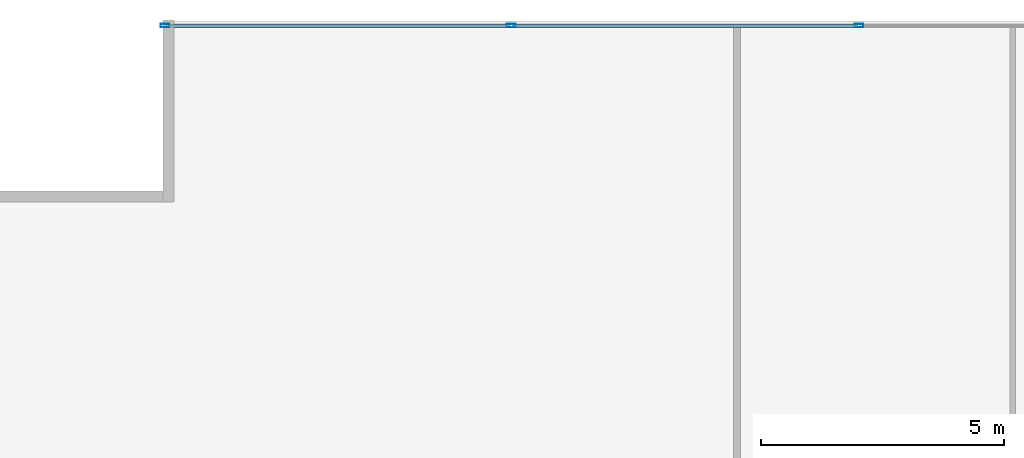
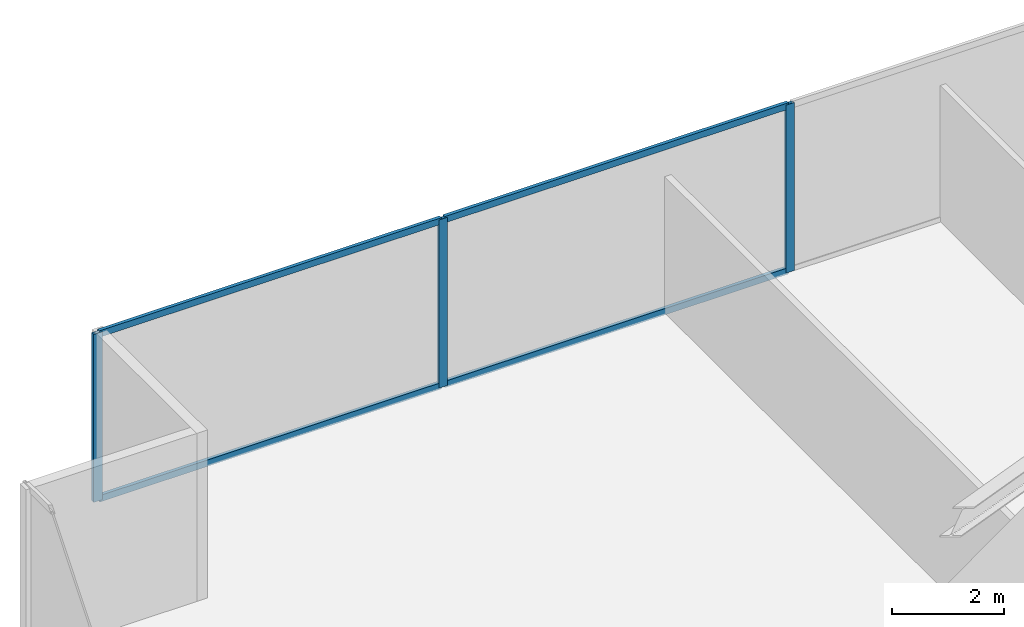
# One storey, part 19 of 28: 7 members, 1 element without a shape of its own.
"""IFC4 building model written with IfcOpenShell, lengths in metres."""

from ifc_helpers import new_model, si_unit, direction, frame, origin, origin_2d, place, context, subcontext, project, spatial, hollow_rectangle, extrude, source, transform, mapped, material, material_profile, profile_set, type_object, type_shapes, element, aggregate, save


model = new_model("IFC4")

# Units and contexts
model_context = context("Model", 3, precision=1e-05, world=origin(), true_north=direction((0.0, 1.0)))
body_context = subcontext(model_context, "Body", "Model", "MODEL_VIEW")
ifc_project = project(units=[si_unit("LENGTHUNIT", "METRE"), si_unit("AREAUNIT", "SQUARE_METRE"), si_unit("VOLUMEUNIT", "CUBIC_METRE"), si_unit("PLANEANGLEUNIT", "RADIAN"), si_unit("MASSUNIT", "GRAM", prefix="KILO")], contexts=[model_context])

# Site, building, storey
site_placement = place(None, origin())
site = spatial("IfcSite", under=ifc_project, at=site_placement, CompositionType="ELEMENT")
building_placement = place(site_placement, origin())
building = spatial("IfcBuilding", under=site, at=building_placement, Name="Krantzveldt Concourse Tower", CompositionType="ELEMENT")
storey_placement = place(building_placement, frame((0.0, 0.0, 28.949951171875)))
storey = spatial("IfcBuildingStorey", under=building, at=storey_placement, Name="L06", CompositionType="ELEMENT", Elevation=28.949951171875)

# Curtain wall, members
ifc_material = material(Name="Anodised aluminium 6063-T6", Category="aluminium")
curtain_wall_type = type_object("IfcCurtainWallType", Name="CW2", PredefinedType="USERDEFINED", material=ifc_material)
curtain_wall_placement = place(storey_placement, origin())
curtain_wall = element("IfcCurtainWall", 1, at=curtain_wall_placement, inside=storey, type_object=curtain_wall_type, Name="CW-L06-F10", ObjectType="UNITISED CURTAIN WALL", PredefinedType="USERDEFINED")
ifc_material_profile_1 = material_profile(ifc_material, hollow_rectangle(XDim=0.070068359375, YDim=0.139892578125, WallThickness=0.0048828125, at=origin_2d()), Name="Anodised aluminium 6063-T6", Category="aluminium")
ifc_profile_set_1 = profile_set([ifc_material_profile_1], Name="Anodised aluminium 6063-T6 - ALU-TRAN 140x70x5")
member_type_1 = type_object("IfcMemberType", Name="CW-TRN-150", PredefinedType="USERDEFINED", material=ifc_profile_set_1)
shared_shape_1 = source(origin(), body_context, "Body", "SweptSolid", [
    extrude(hollow_rectangle(XDim=0.070068359375, YDim=0.139892578125, WallThickness=0.0048828125, at=origin_2d()), origin(), (0.0, 0.0, 1.0), 7.0615234375),
])
member_1_placement = place(storey_placement, frame((21.631591796875, 51.610107421875, 0.03515625), z_axis=(-1.0, 0.0, 0.0), x_axis=(0.0, -1.0, 0.0)))
member_1 = element("IfcMember", 2, at=member_1_placement, type_object=member_type_1, Name="CW-Z12 transom 6.1", ObjectType="TRANSOM", PredefinedType="USERDEFINED", context=body_context, shape_type="MappedRepresentation", body=[
    mapped(shared_shape_1, transform((0.0, 0.0, 0.0), x_axis=(1.0, 0.0, 0.0), y_axis=(0.0, 1.0, 0.0), z_axis=(0.0, 0.0, 1.0), scale=1.0)),
])
member_2_placement = place(storey_placement, frame((21.631591796875, 51.610107421875, 3.635009765625), z_axis=(-1.0, 0.0, 0.0), x_axis=(0.0, -1.0, 0.0)))
member_2 = element("IfcMember", 3, at=member_2_placement, type_object=member_type_1, Name="CW-Z12 transom 6.2", ObjectType="TRANSOM", PredefinedType="USERDEFINED", context=body_context, shape_type="MappedRepresentation", body=[
    mapped(shared_shape_1, transform((0.0, 0.0, 0.0), x_axis=(1.0, 0.0, 0.0), y_axis=(0.0, 1.0, 0.0), z_axis=(0.0, 0.0, 1.0), scale=1.0)),
])
shared_shape_2 = source(origin(), body_context, "Body", "SweptSolid", [
    extrude(hollow_rectangle(XDim=0.070068359375, YDim=0.139892578125, WallThickness=0.0048828125, at=origin_2d()), origin(), (0.0, 0.0, 1.0), 7.0966796875),
])
type_shapes(member_type_1, [shared_shape_1, shared_shape_2])
member_3_placement = place(storey_placement, frame((28.79833984375, 51.610107421875, 0.03515625), z_axis=(-1.0, 0.0, 0.0), x_axis=(0.0, -1.0, 0.0)))
member_3 = element("IfcMember", 4, at=member_3_placement, type_object=member_type_1, Name="CW-Z12 transom 5.1", ObjectType="TRANSOM", PredefinedType="USERDEFINED", context=body_context, shape_type="MappedRepresentation", body=[
    mapped(shared_shape_2, transform((0.0, 0.0, 0.0), x_axis=(1.0, 0.0, 0.0), y_axis=(0.0, 1.0, 0.0), z_axis=(0.0, 0.0, 1.0), scale=1.0)),
])
member_4_placement = place(storey_placement, frame((28.79833984375, 51.610107421875, 3.635009765625), z_axis=(-1.0, 0.0, 0.0), x_axis=(0.0, -1.0, 0.0)))
member_4 = element("IfcMember", 5, at=member_4_placement, type_object=member_type_1, Name="CW-Z12 transom 5.2", ObjectType="TRANSOM", PredefinedType="USERDEFINED", context=body_context, shape_type="MappedRepresentation", body=[
    mapped(shared_shape_2, transform((0.0, 0.0, 0.0), x_axis=(1.0, 0.0, 0.0), y_axis=(0.0, 1.0, 0.0), z_axis=(0.0, 0.0, 1.0), scale=1.0)),
])
ifc_material_profile_2 = material_profile(ifc_material, hollow_rectangle(XDim=0.070068359375, YDim=0.179931640625, WallThickness=0.0048828125, at=origin_2d()), Name="Anodised aluminium 6063-T6", Category="aluminium")
ifc_profile_set_2 = profile_set([ifc_material_profile_2], Name="Anodised aluminium 6063-T6 - ALU-MULL 180x70x5")
member_type_2 = type_object("IfcMemberType", Name="CW-MUL-180", PredefinedType="MULLION", material=ifc_profile_set_2)
shared_shape_3 = source(origin(), body_context, "Body", "SweptSolid", [
    extrude(hollow_rectangle(XDim=0.070068359375, YDim=0.179931640625, WallThickness=0.0048828125, at=origin_2d()), origin(), (0.0, 0.0, 1.0), 3.670166015625),
])
type_shapes(member_type_2, [shared_shape_3])
member_5_placement = place(storey_placement, frame((28.833251953125, 51.610107421875, 0.0), z_axis=(0.0, 0.0, 1.0), x_axis=(0.0, -1.0, 0.0)))
member_5 = element("IfcMember", 6, at=member_5_placement, type_object=member_type_2, Name="CW-Z12 mullion 5", PredefinedType="MULLION", context=body_context, shape_type="MappedRepresentation", body=[
    mapped(shared_shape_3, transform((0.0, 0.0, 0.0), x_axis=(1.0, 0.0, 0.0), y_axis=(0.0, 1.0, 0.0), z_axis=(0.0, 0.0, 1.0), scale=1.0)),
])
member_6_placement = place(storey_placement, frame((21.666748046875, 51.610107421875, 0.0), z_axis=(0.0, 0.0, 1.0), x_axis=(0.0, -1.0, 0.0)))
member_6 = element("IfcMember", 7, at=member_6_placement, type_object=member_type_2, Name="CW-Z12 mullion 6", PredefinedType="MULLION", context=body_context, shape_type="MappedRepresentation", body=[
    mapped(shared_shape_3, transform((0.0, 0.0, 0.0), x_axis=(1.0, 0.0, 0.0), y_axis=(0.0, 1.0, 0.0), z_axis=(0.0, 0.0, 1.0), scale=1.0)),
])
member_7_placement = place(storey_placement, frame((14.534912109375, 51.610107421875, 0.0), z_axis=(0.0, 0.0, 1.0), x_axis=(0.0, -1.0, 0.0)))
member_7 = element("IfcMember", 8, at=member_7_placement, type_object=member_type_2, Name="CW-Z12 mullion 7", PredefinedType="MULLION", context=body_context, shape_type="MappedRepresentation", body=[
    mapped(shared_shape_3, transform((0.0, 0.0, 0.0), x_axis=(1.0, 0.0, 0.0), y_axis=(0.0, 1.0, 0.0), z_axis=(0.0, 0.0, 1.0), scale=1.0)),
])
aggregate(curtain_wall, [member_5, member_6, member_7, member_3, member_4, member_1, member_2])

save(model, "model.ifc")
